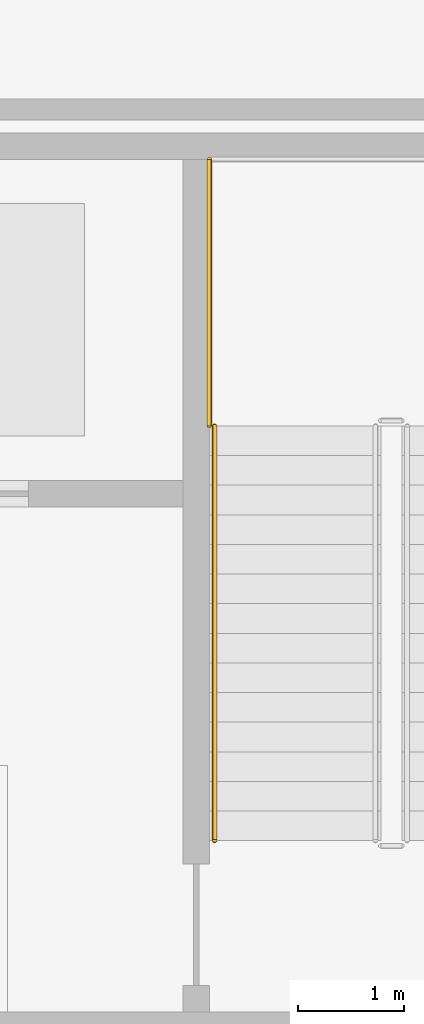
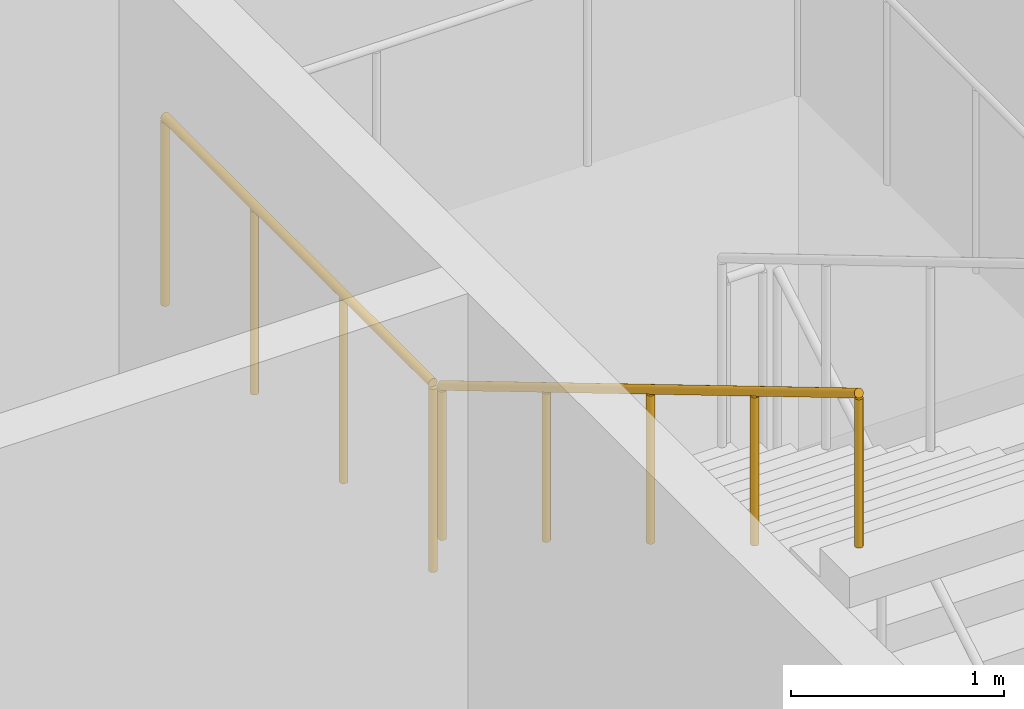
# One storey, part 34 of 37: 2 railings.
"""IFC4 building model written with IfcOpenShell, lengths in metres."""

from ifc_helpers import new_model, si_unit, direction, frame, origin, origin_2d, place, context, subcontext, project, spatial, circle, extrude, material, type_object, element, save


model = new_model("IFC4")

# Units and contexts
model_context = context("Model", 3, precision=1e-05, world=origin(), true_north=direction((0.0, 1.0)))
body_context = subcontext(model_context, "Body", "Model", "MODEL_VIEW")
ifc_project = project(units=[si_unit("LENGTHUNIT", "METRE"), si_unit("AREAUNIT", "SQUARE_METRE"), si_unit("VOLUMEUNIT", "CUBIC_METRE"), si_unit("PLANEANGLEUNIT", "RADIAN"), si_unit("MASSUNIT", "GRAM", prefix="KILO")], contexts=[model_context])

# Site, building, storey
site_placement = place(None, origin())
site = spatial("IfcSite", under=ifc_project, at=site_placement, CompositionType="ELEMENT")
building_placement = place(site_placement, origin())
building = spatial("IfcBuilding", under=site, at=building_placement, Name="Barlavento Convention Centre", CompositionType="ELEMENT")
storey_placement = place(building_placement, frame((0.0, 0.0, -5.0)))
storey = spatial("IfcBuildingStorey", under=building, at=storey_placement, Name="B1", CompositionType="ELEMENT", Elevation=-5.0)

# Railings
ifc_material_1 = material(Name="Stainless steel and laminated glass balustrade", Category="steel")
railing_type_1 = type_object("IfcRailingType", Name="ARC-RAL-BAL-1100", PredefinedType="BALUSTRADE", material=ifc_material_1)
railing_1_placement = place(storey_placement, frame((184.7099609375, 96.010009765625, 2.5)))
element("IfcRailing", 1, at=railing_1_placement, inside=storey, type_object=railing_type_1, Name="B1 landing guard GR01", PredefinedType="BALUSTRADE", context=body_context, shape_type="SweptSolid", body=[
    extrude(circle(Radius=0.02392578125, at=origin_2d()), frame((0.0, 0.0, 1.076171875), z_axis=(0.0, 1.0, 0.0), x_axis=(-1.0, 0.0, 0.0)), (0.0, 0.0, 1.0), 2.52001953125),
    extrude(circle(Radius=0.02099609375, at=origin_2d()), origin(), (0.0, 0.0, 1.0), 1.052001953125),
    extrude(circle(Radius=0.02099609375, at=origin_2d()), frame((0.0, 0.840087890625, 0.0)), (0.0, 0.0, 1.0), 1.052001953125),
    extrude(circle(Radius=0.02099609375, at=origin_2d()), frame((0.0, 1.679931640625, 0.0)), (0.0, 0.0, 1.0), 1.052001953125),
    extrude(circle(Radius=0.02099609375, at=origin_2d()), frame((0.0, 2.52001953125, 0.0)), (0.0, 0.0, 1.0), 1.052001953125),
])
ifc_material_2 = material(Name="Brushed stainless steel tubular handrail", Category="steel")
railing_type_2 = type_object("IfcRailingType", Name="ARC-RAL-HR-900", PredefinedType="HANDRAIL", material=ifc_material_2)
railing_2_placement = place(storey_placement, frame((184.760009765625, 96.010009765625, 2.666748046875)))
element("IfcRailing", 2, at=railing_2_placement, inside=storey, type_object=railing_type_2, Name="B1 ST08 stair handrail 2", PredefinedType="HANDRAIL", context=body_context, shape_type="SweptSolid", body=[
    extrude(circle(Radius=0.02392578125, at=origin_2d()), frame((0.0, 0.0, 0.8759765625), z_axis=(0.0, -0.859296244711, 0.511478214419), x_axis=(1.0, 0.0, 0.0)), (0.0, 0.0, 1.0), 4.561767578125),
    extrude(circle(Radius=0.02099609375, at=origin_2d()), origin(), (0.0, 0.0, 1.0), 0.851806640625),
    extrude(circle(Radius=0.02099609375, at=origin_2d()), frame((0.0, -0.97998046875, 0.583251953125)), (0.0, 0.0, 1.0), 0.851806640625),
    extrude(circle(Radius=0.02099609375, at=origin_2d()), frame((0.0, -1.9599609375, 1.16650390625)), (0.0, 0.0, 1.0), 0.851806640625),
    extrude(circle(Radius=0.02099609375, at=origin_2d()), frame((0.0, -2.93994140625, 1.75)), (0.0, 0.0, 1.0), 0.851806640625),
    extrude(circle(Radius=0.02099609375, at=origin_2d()), frame((0.0, -3.919921875, 2.333251953125)), (0.0, 0.0, 1.0), 0.851806640625),
])

save(model, "model.ifc")
